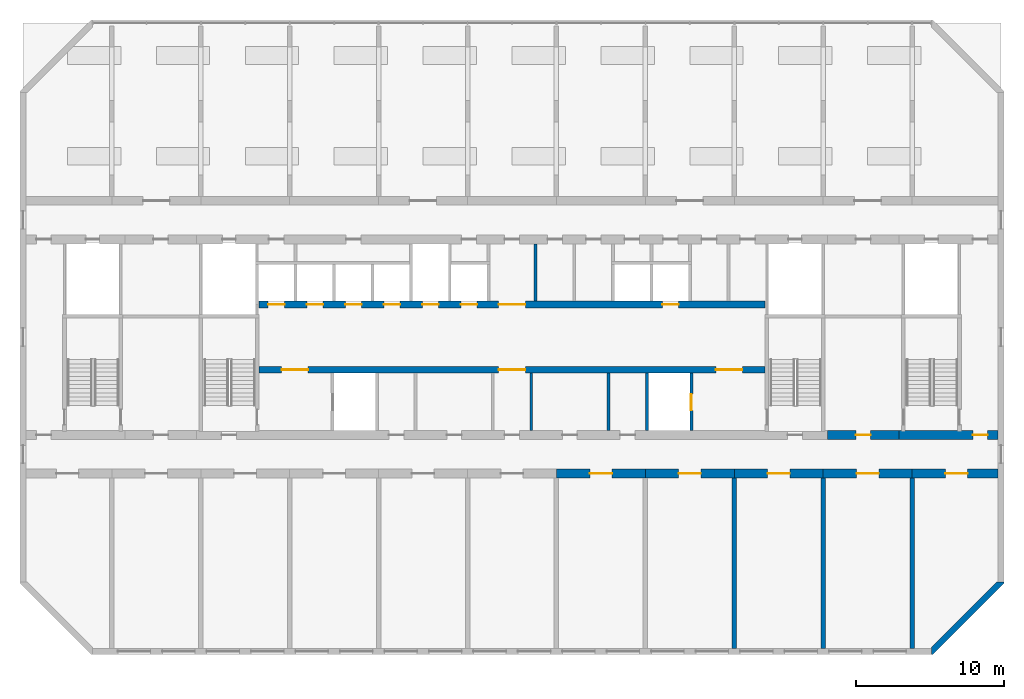
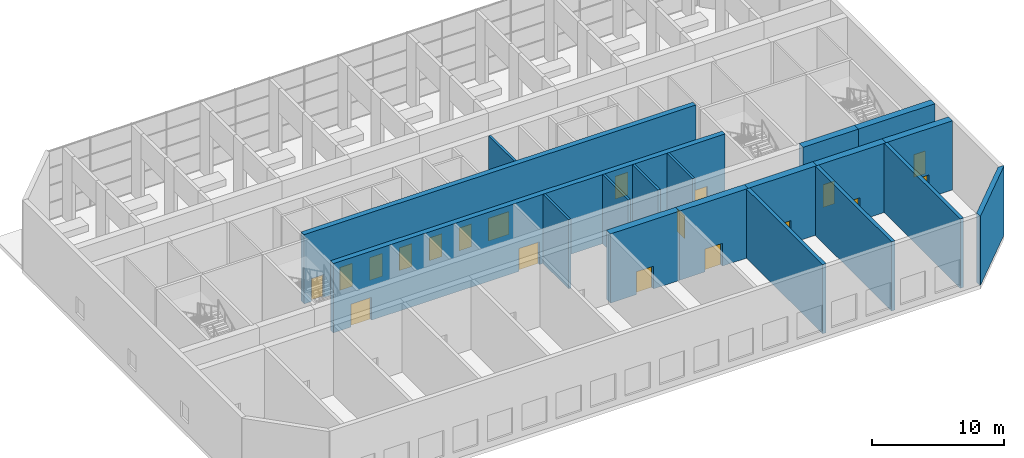
# One storey, part 8 of 13: 19 doors, 18 walls, 19 openings.
"""IFC4 building model written with IfcOpenShell, lengths in metres."""

from ifc_helpers import new_model, si_unit, direction, frame, frame_2d, origin, place, context, subcontext, project, spatial, polyline, rectangle, outline, extrude, material, layer, layer_set, type_object, element, fill, save


model = new_model("IFC4")

# Units and contexts
model_context = context("Model", 3, precision=1e-05, world=origin(), true_north=direction((0.0, 1.0)))
body_context = subcontext(model_context, "Body", "Model", "MODEL_VIEW")
ifc_project = project(units=[si_unit("LENGTHUNIT", "METRE"), si_unit("AREAUNIT", "SQUARE_METRE"), si_unit("VOLUMEUNIT", "CUBIC_METRE"), si_unit("PLANEANGLEUNIT", "RADIAN"), si_unit("MASSUNIT", "GRAM", prefix="KILO")], contexts=[model_context])

# Site, building, storey
site_placement = place(None, origin())
site = spatial("IfcSite", under=ifc_project, at=site_placement, CompositionType="ELEMENT")
building_placement = place(site_placement, origin())
building = spatial("IfcBuilding", under=site, at=building_placement, Name="Poui Terraces", CompositionType="ELEMENT")
storey_placement = place(building_placement, frame((0.0, 0.0, 165.300048828125)))
storey = spatial("IfcBuildingStorey", under=building, at=storey_placement, Name="L46", CompositionType="ELEMENT", Elevation=165.300048828125)

# Wall, opening, door
ifc_material_1 = material(Name="Concrete 65 MPa", Category="concrete")
ifc_layer_1 = layer(ifc_material_1, 0.60009765625)
ifc_layer_set_1 = layer_set([ifc_layer_1], Name="Concrete 65 MPa")
wall_type_1 = type_object("IfcWallType", Name="BELT WALL 600 65MPa", PredefinedType="SHEAR", material=ifc_layer_set_1)
wall_1_placement = place(storey_placement, frame((54.0, 12.0, 0.0), z_axis=(0.0, 0.0, 1.0), x_axis=(1.0, 0.0, 0.0)))
wall_1 = element("IfcWall", 1, at=wall_1_placement, inside=storey, type_object=wall_type_1, Name="BELT WALL LINE B BAY 7", PredefinedType="SHEAR", context=body_context, shape_type="SweptSolid", body=[
    extrude(rectangle(XDim=6.0, YDim=0.60009765625, at=frame_2d((3.0, 0.0))), origin(), (0.0, 0.0, 1.0), 6.3798828125),
])
opening_1_placement = place(wall_1_placement, frame((2.25, 0.0, 0.0)))
opening_1 = element("IfcOpeningElement", 2, at=opening_1_placement, cuts=wall_1, Name="Opening FDP", PredefinedType="OPENING", context=body_context, shape_type="SweptSolid", body=[
    extrude(rectangle(XDim=1.5, YDim=2.10009765625, at=frame_2d((0.75, 1.050048828125))), frame((0.0, 0.31005859375, 0.0), z_axis=(0.0, -1.0, 0.0), x_axis=(1.0, 0.0, 0.0)), (0.0, 0.0, 1.0), 0.6201171875),
])
ifc_material_2 = material(Name="Steel fire door", Category="steel")
door_type_1 = type_object("IfcDoorType", Name="PLANT ROOM DOOR PAIR 1500 X 2100", OperationType="DOUBLE_DOOR_SINGLE_SWING", PredefinedType="DOOR", material=ifc_material_2)
door_1_placement = place(opening_1_placement, origin())
door_1 = element("IfcDoor", 3, at=door_1_placement, inside=storey, type_object=door_type_1, Name="PLANT ROOM DOOR PAIR 036", OperationType="DOUBLE_DOOR_SINGLE_SWING", OverallHeight=2.10009765625, OverallWidth=1.5, PredefinedType="DOOR", context=body_context, shape_type="SweptSolid", body=[
    extrude(rectangle(XDim=1.5, YDim=2.10009765625, at=frame_2d((0.75, 1.050048828125))), frame((0.0, 0.02490234375, 0.0), z_axis=(0.0, -1.0, 0.0), x_axis=(1.0, 0.0, 0.0)), (0.0, 0.0, 1.0), 0.050048828125),
])
fill(opening_1, door_1)

wall_2_placement = place(storey_placement, frame((60.0, 12.0, 0.0), z_axis=(0.0, 0.0, 1.0), x_axis=(1.0, 0.0, 0.0)))
wall_2 = element("IfcWall", 4, at=wall_2_placement, inside=storey, type_object=wall_type_1, Name="BELT WALL LINE B BAY 8", PredefinedType="SHEAR", context=body_context, shape_type="SweptSolid", body=[
    extrude(rectangle(XDim=6.0, YDim=0.60009765625, at=frame_2d((3.0, 0.0))), origin(), (0.0, 0.0, 1.0), 6.3798828125),
])
opening_2_placement = place(wall_2_placement, frame((2.25, 0.0, 0.0)))
opening_2 = element("IfcOpeningElement", 5, at=opening_2_placement, cuts=wall_2, Name="Opening FDP", PredefinedType="OPENING", context=body_context, shape_type="SweptSolid", body=[
    extrude(rectangle(XDim=1.5, YDim=2.10009765625, at=frame_2d((0.75, 1.050048828125))), frame((0.0, 0.31005859375, 0.0), z_axis=(0.0, -1.0, 0.0), x_axis=(1.0, 0.0, 0.0)), (0.0, 0.0, 1.0), 0.6201171875),
])
door_2_placement = place(opening_2_placement, origin())
door_2 = element("IfcDoor", 6, at=door_2_placement, inside=storey, type_object=door_type_1, Name="PLANT ROOM DOOR PAIR 038", OperationType="DOUBLE_DOOR_SINGLE_SWING", OverallHeight=2.10009765625, OverallWidth=1.5, PredefinedType="DOOR", context=body_context, shape_type="SweptSolid", body=[
    extrude(rectangle(XDim=1.5, YDim=2.10009765625, at=frame_2d((0.75, 1.050048828125))), frame((0.0, 0.02490234375, 0.0), z_axis=(0.0, -1.0, 0.0), x_axis=(1.0, 0.0, 0.0)), (0.0, 0.0, 1.0), 0.050048828125),
])
fill(opening_2, door_2)

wall_3_placement = place(storey_placement, frame((66.0, 12.0, 0.0), z_axis=(0.0, 0.0, 1.0), x_axis=(1.0, 0.0, 0.0)))
wall_3 = element("IfcWall", 7, at=wall_3_placement, inside=storey, type_object=wall_type_1, Name="BELT WALL LINE B BAY 9", PredefinedType="SHEAR", context=body_context, shape_type="SweptSolid", body=[
    extrude(rectangle(XDim=6.0, YDim=0.60009765625, at=frame_2d((3.0, 0.0))), origin(), (0.0, 0.0, 1.0), 6.3798828125),
])
opening_3_placement = place(wall_3_placement, frame((2.25, 0.0, 0.0)))
opening_3 = element("IfcOpeningElement", 8, at=opening_3_placement, cuts=wall_3, Name="Opening FDP", PredefinedType="OPENING", context=body_context, shape_type="SweptSolid", body=[
    extrude(rectangle(XDim=1.5, YDim=2.10009765625, at=frame_2d((0.75, 1.050048828125))), frame((0.0, 0.31005859375, 0.0), z_axis=(0.0, -1.0, 0.0), x_axis=(1.0, 0.0, 0.0)), (0.0, 0.0, 1.0), 0.6201171875),
])
door_3_placement = place(opening_3_placement, origin())
door_3 = element("IfcDoor", 9, at=door_3_placement, inside=storey, type_object=door_type_1, Name="PLANT ROOM DOOR PAIR 039", OperationType="DOUBLE_DOOR_SINGLE_SWING", OverallHeight=2.10009765625, OverallWidth=1.5, PredefinedType="DOOR", context=body_context, shape_type="SweptSolid", body=[
    extrude(rectangle(XDim=1.5, YDim=2.10009765625, at=frame_2d((0.75, 1.050048828125))), frame((0.0, 0.02490234375, 0.0), z_axis=(0.0, -1.0, 0.0), x_axis=(1.0, 0.0, 0.0)), (0.0, 0.0, 1.0), 0.050048828125),
])
fill(opening_3, door_3)

wall_4_placement = place(storey_placement, frame((72.0, 12.0, 0.0), z_axis=(0.0, 0.0, 1.0), x_axis=(1.0, 0.0, 0.0)))
wall_4 = element("IfcWall", 10, at=wall_4_placement, inside=storey, type_object=wall_type_1, Name="BELT WALL LINE B BAY 10", PredefinedType="SHEAR", context=body_context, shape_type="SweptSolid", body=[
    extrude(rectangle(XDim=6.0, YDim=0.60009765625, at=frame_2d((3.0, 0.0))), origin(), (0.0, 0.0, 1.0), 6.3798828125),
])
opening_4_placement = place(wall_4_placement, frame((2.25, 0.0, 0.0)))
opening_4 = element("IfcOpeningElement", 11, at=opening_4_placement, cuts=wall_4, Name="Opening FDP", PredefinedType="OPENING", context=body_context, shape_type="SweptSolid", body=[
    extrude(rectangle(XDim=1.5, YDim=2.10009765625, at=frame_2d((0.75, 1.050048828125))), frame((0.0, 0.31005859375, 0.0), z_axis=(0.0, -1.0, 0.0), x_axis=(1.0, 0.0, 0.0)), (0.0, 0.0, 1.0), 0.6201171875),
])
door_4_placement = place(opening_4_placement, origin())
door_4 = element("IfcDoor", 12, at=door_4_placement, inside=storey, type_object=door_type_1, Name="PLANT ROOM DOOR PAIR 042", OperationType="DOUBLE_DOOR_SINGLE_SWING", OverallHeight=2.10009765625, OverallWidth=1.5, PredefinedType="DOOR", context=body_context, shape_type="SweptSolid", body=[
    extrude(rectangle(XDim=1.5, YDim=2.10009765625, at=frame_2d((0.75, 1.050048828125))), frame((0.0, 0.02490234375, 0.0), z_axis=(0.0, -1.0, 0.0), x_axis=(1.0, 0.0, 0.0)), (0.0, 0.0, 1.0), 0.050048828125),
])
fill(opening_4, door_4)

wall_5_placement = place(storey_placement, frame((78.0, 12.0, 0.0), z_axis=(0.0, 0.0, 1.0), x_axis=(1.0, 0.0, 0.0)))
wall_5 = element("IfcWall", 13, at=wall_5_placement, inside=storey, type_object=wall_type_1, Name="BELT WALL LINE B BAY 11", PredefinedType="SHEAR", context=body_context, shape_type="SweptSolid", body=[
    extrude(rectangle(XDim=5.800048828125, YDim=0.60009765625, at=frame_2d((2.89990234375, 0.0))), origin(), (0.0, 0.0, 1.0), 6.3798828125),
])
opening_5_placement = place(wall_5_placement, frame((2.25, 0.0, 0.0)))
opening_5 = element("IfcOpeningElement", 14, at=opening_5_placement, cuts=wall_5, Name="Opening FDP", PredefinedType="OPENING", context=body_context, shape_type="SweptSolid", body=[
    extrude(rectangle(XDim=1.5, YDim=2.10009765625, at=frame_2d((0.75, 1.050048828125))), frame((0.0, 0.31005859375, 0.0), z_axis=(0.0, -1.0, 0.0), x_axis=(1.0, 0.0, 0.0)), (0.0, 0.0, 1.0), 0.6201171875),
])
door_5_placement = place(opening_5_placement, origin())
door_5 = element("IfcDoor", 15, at=door_5_placement, inside=storey, type_object=door_type_1, Name="PLANT ROOM DOOR PAIR 043", OperationType="DOUBLE_DOOR_SINGLE_SWING", OverallHeight=2.10009765625, OverallWidth=1.5, PredefinedType="DOOR", context=body_context, shape_type="SweptSolid", body=[
    extrude(rectangle(XDim=1.5, YDim=2.10009765625, at=frame_2d((0.75, 1.050048828125))), frame((0.0, 0.02490234375, 0.0), z_axis=(0.0, -1.0, 0.0), x_axis=(1.0, 0.0, 0.0)), (0.0, 0.0, 1.0), 0.050048828125),
])
fill(opening_5, door_5)

# Wall, openings, doors
ifc_layer_2 = layer(ifc_material_1, 0.449951171875)
ifc_layer_set_2 = layer_set([ifc_layer_2], Name="Concrete 65 MPa")
wall_type_2 = type_object("IfcWallType", Name="CORE WALL 450 65 MPA", PredefinedType="SOLIDWALL", material=ifc_layer_set_2)
wall_6_placement = place(storey_placement, frame((33.925048828125, 19.0, 0.0), z_axis=(0.0, 0.0, 1.0), x_axis=(1.0, 0.0, 0.0)))
wall_6 = element("IfcWall", 16, at=wall_6_placement, inside=storey, type_object=wall_type_2, Name="CORE WALL", PredefinedType="SOLIDWALL", context=body_context, shape_type="SweptSolid", body=[
    extrude(rectangle(XDim=34.14990234375, YDim=0.449951171875, at=frame_2d((17.074951171875, 0.0))), origin(), (0.0, 0.0, 1.0), 6.3798828125),
])
opening_6_placement = place(wall_6_placement, frame((16.175048828125, 0.0, 0.0)))
opening_6 = element("IfcOpeningElement", 17, at=opening_6_placement, cuts=wall_6, Name="Opening FDD60", PredefinedType="OPENING", context=body_context, shape_type="SweptSolid", body=[
    extrude(rectangle(XDim=1.800048828125, YDim=2.10009765625, at=frame_2d((0.89990234375, 1.050048828125))), frame((0.0, 0.23486328125, 0.0), z_axis=(0.0, -1.0, 0.0), x_axis=(1.0, 0.0, 0.0)), (0.0, 0.0, 1.0), 0.469970703125),
])
opening_7_placement = place(wall_6_placement, frame((1.52490234375, 0.0, 0.0)))
opening_7 = element("IfcOpeningElement", 18, at=opening_7_placement, cuts=wall_6, Name="Opening FDD60", PredefinedType="OPENING", context=body_context, shape_type="SweptSolid", body=[
    extrude(rectangle(XDim=1.800048828125, YDim=2.10009765625, at=frame_2d((0.89990234375, 1.050048828125))), frame((0.0, 0.23486328125, 0.0), z_axis=(0.0, -1.0, 0.0), x_axis=(1.0, 0.0, 0.0)), (0.0, 0.0, 1.0), 0.469970703125),
])
opening_8_placement = place(wall_6_placement, frame((30.824951171875, 0.0, 0.0)))
opening_8 = element("IfcOpeningElement", 19, at=opening_8_placement, cuts=wall_6, Name="Opening FDD60", PredefinedType="OPENING", context=body_context, shape_type="SweptSolid", body=[
    extrude(rectangle(XDim=1.800048828125, YDim=2.10009765625, at=frame_2d((0.89990234375, 1.050048828125))), frame((0.0, 0.23486328125, 0.0), z_axis=(0.0, -1.0, 0.0), x_axis=(1.0, 0.0, 0.0)), (0.0, 0.0, 1.0), 0.469970703125),
])
door_type_2 = type_object("IfcDoorType", Name="DOUBLE LOBBY FIRE DOOR 1800 X 2100", OperationType="DOUBLE_DOOR_SINGLE_SWING", PredefinedType="DOOR", material=ifc_material_2)
door_6_placement = place(opening_6_placement, frame((1.800048828125, 0.0, 0.0), z_axis=(0.0, 0.0, 1.0), x_axis=(-1.0, 0.0, 0.0)))
door_6 = element("IfcDoor", 20, at=door_6_placement, inside=storey, type_object=door_type_2, Name="DOUBLE LOBBY FIRE DOOR 050", OperationType="DOUBLE_DOOR_SINGLE_SWING", OverallHeight=2.10009765625, OverallWidth=1.800048828125, PredefinedType="DOOR", context=body_context, shape_type="SweptSolid", body=[
    extrude(rectangle(XDim=1.800048828125, YDim=2.10009765625, at=frame_2d((0.89990234375, 1.050048828125))), frame((0.0, 0.02490234375, 0.0), z_axis=(0.0, -1.0, 0.0), x_axis=(1.0, 0.0, 0.0)), (0.0, 0.0, 1.0), 0.050048828125),
])
fill(opening_6, door_6)
door_7_placement = place(opening_7_placement, origin())
door_7 = element("IfcDoor", 21, at=door_7_placement, inside=storey, type_object=door_type_2, Name="DOUBLE LOBBY FIRE DOOR 052", OperationType="DOUBLE_DOOR_SINGLE_SWING", OverallHeight=2.10009765625, OverallWidth=1.800048828125, PredefinedType="DOOR", context=body_context, shape_type="SweptSolid", body=[
    extrude(rectangle(XDim=1.800048828125, YDim=2.10009765625, at=frame_2d((0.89990234375, 1.050048828125))), frame((0.0, 0.02490234375, 0.0), z_axis=(0.0, -1.0, 0.0), x_axis=(1.0, 0.0, 0.0)), (0.0, 0.0, 1.0), 0.050048828125),
])
fill(opening_7, door_7)
door_8_placement = place(opening_8_placement, origin())
door_8 = element("IfcDoor", 22, at=door_8_placement, inside=storey, type_object=door_type_2, Name="DOUBLE LOBBY FIRE DOOR 059", OperationType="DOUBLE_DOOR_SINGLE_SWING", OverallHeight=2.10009765625, OverallWidth=1.800048828125, PredefinedType="DOOR", context=body_context, shape_type="SweptSolid", body=[
    extrude(rectangle(XDim=1.800048828125, YDim=2.10009765625, at=frame_2d((0.89990234375, 1.050048828125))), frame((0.0, 0.02490234375, 0.0), z_axis=(0.0, -1.0, 0.0), x_axis=(1.0, 0.0, 0.0)), (0.0, 0.0, 1.0), 0.050048828125),
])
fill(opening_8, door_8)

wall_7_placement = place(storey_placement, frame((33.925048828125, 23.39990234375, 0.0), z_axis=(0.0, 0.0, 1.0), x_axis=(1.0, 0.0, 0.0)))
wall_7 = element("IfcWall", 23, at=wall_7_placement, inside=storey, type_object=wall_type_2, Name="CORE WALL", PredefinedType="SOLIDWALL", context=body_context, shape_type="SweptSolid", body=[
    extrude(rectangle(XDim=34.14990234375, YDim=0.449951171875, at=frame_2d((17.074951171875, 0.0))), origin(), (0.0, 0.0, 1.0), 6.3798828125),
])
opening_9_placement = place(wall_7_placement, frame((16.175048828125, 0.0, 0.0)))
opening_9 = element("IfcOpeningElement", 24, at=opening_9_placement, cuts=wall_7, Name="Opening FDD60", PredefinedType="OPENING", context=body_context, shape_type="SweptSolid", body=[
    extrude(rectangle(XDim=1.800048828125, YDim=2.10009765625, at=frame_2d((0.89990234375, 1.050048828125))), frame((0.0, 0.23486328125, 0.0), z_axis=(0.0, -1.0, 0.0), x_axis=(1.0, 0.0, 0.0)), (0.0, 0.0, 1.0), 0.469970703125),
])
opening_10_placement = place(wall_7_placement, frame((0.625, 0.0, 0.0)))
opening_10 = element("IfcOpeningElement", 25, at=opening_10_placement, cuts=wall_7, Name="Opening LD", PredefinedType="OPENING", context=body_context, shape_type="SweptSolid", body=[
    extrude(rectangle(XDim=1.10009765625, YDim=2.10009765625, at=frame_2d((0.550048828125, 1.050048828125))), frame((0.0, 0.23486328125, 0.0), z_axis=(0.0, -1.0, 0.0), x_axis=(1.0, 0.0, 0.0)), (0.0, 0.0, 1.0), 0.469970703125),
])
opening_11_placement = place(wall_7_placement, frame((3.22509765625, 0.0, 0.0)))
opening_11 = element("IfcOpeningElement", 26, at=opening_11_placement, cuts=wall_7, Name="Opening LD", PredefinedType="OPENING", context=body_context, shape_type="SweptSolid", body=[
    extrude(rectangle(XDim=1.10009765625, YDim=2.10009765625, at=frame_2d((0.550048828125, 1.050048828125))), frame((0.0, 0.23486328125, 0.0), z_axis=(0.0, -1.0, 0.0), x_axis=(1.0, 0.0, 0.0)), (0.0, 0.0, 1.0), 0.469970703125),
])
opening_12_placement = place(wall_7_placement, frame((5.824951171875, 0.0, 0.0)))
opening_12 = element("IfcOpeningElement", 27, at=opening_12_placement, cuts=wall_7, Name="Opening LD", PredefinedType="OPENING", context=body_context, shape_type="SweptSolid", body=[
    extrude(rectangle(XDim=1.10009765625, YDim=2.10009765625, at=frame_2d((0.550048828125, 1.050048828125))), frame((0.0, 0.23486328125, 0.0), z_axis=(0.0, -1.0, 0.0), x_axis=(1.0, 0.0, 0.0)), (0.0, 0.0, 1.0), 0.469970703125),
])
opening_13_placement = place(wall_7_placement, frame((8.425048828125, 0.0, 0.0)))
opening_13 = element("IfcOpeningElement", 28, at=opening_13_placement, cuts=wall_7, Name="Opening LD", PredefinedType="OPENING", context=body_context, shape_type="SweptSolid", body=[
    extrude(rectangle(XDim=1.10009765625, YDim=2.10009765625, at=frame_2d((0.550048828125, 1.050048828125))), frame((0.0, 0.23486328125, 0.0), z_axis=(0.0, -1.0, 0.0), x_axis=(1.0, 0.0, 0.0)), (0.0, 0.0, 1.0), 0.469970703125),
])
opening_14_placement = place(wall_7_placement, frame((11.02490234375, 0.0, 0.0)))
opening_14 = element("IfcOpeningElement", 29, at=opening_14_placement, cuts=wall_7, Name="Opening LD", PredefinedType="OPENING", context=body_context, shape_type="SweptSolid", body=[
    extrude(rectangle(XDim=1.10009765625, YDim=2.10009765625, at=frame_2d((0.550048828125, 1.050048828125))), frame((0.0, 0.23486328125, 0.0), z_axis=(0.0, -1.0, 0.0), x_axis=(1.0, 0.0, 0.0)), (0.0, 0.0, 1.0), 0.469970703125),
])
opening_15_placement = place(wall_7_placement, frame((13.625, 0.0, 0.0)))
opening_15 = element("IfcOpeningElement", 30, at=opening_15_placement, cuts=wall_7, Name="Opening LD", PredefinedType="OPENING", context=body_context, shape_type="SweptSolid", body=[
    extrude(rectangle(XDim=1.10009765625, YDim=2.10009765625, at=frame_2d((0.550048828125, 1.050048828125))), frame((0.0, 0.23486328125, 0.0), z_axis=(0.0, -1.0, 0.0), x_axis=(1.0, 0.0, 0.0)), (0.0, 0.0, 1.0), 0.469970703125),
])
opening_16_placement = place(wall_7_placement, frame((27.22509765625, 0.0, 0.0)))
opening_16 = element("IfcOpeningElement", 31, at=opening_16_placement, cuts=wall_7, Name="Opening LD", PredefinedType="OPENING", context=body_context, shape_type="SweptSolid", body=[
    extrude(rectangle(XDim=1.10009765625, YDim=2.10009765625, at=frame_2d((0.550048828125, 1.050048828125))), frame((0.0, 0.23486328125, 0.0), z_axis=(0.0, -1.0, 0.0), x_axis=(1.0, 0.0, 0.0)), (0.0, 0.0, 1.0), 0.469970703125),
])
door_9_placement = place(opening_9_placement, origin())
door_9 = element("IfcDoor", 32, at=door_9_placement, inside=storey, type_object=door_type_2, Name="DOUBLE LOBBY FIRE DOOR 049", OperationType="DOUBLE_DOOR_SINGLE_SWING", OverallHeight=2.10009765625, OverallWidth=1.800048828125, PredefinedType="DOOR", context=body_context, shape_type="SweptSolid", body=[
    extrude(rectangle(XDim=1.800048828125, YDim=2.10009765625, at=frame_2d((0.89990234375, 1.050048828125))), frame((0.0, 0.02490234375, 0.0), z_axis=(0.0, -1.0, 0.0), x_axis=(1.0, 0.0, 0.0)), (0.0, 0.0, 1.0), 0.050048828125),
])
fill(opening_9, door_9)
ifc_material_3 = material(Name="Stainless steel sliding door", Category="steel")
door_type_3 = type_object("IfcDoorType", Name="LIFT LANDING DOOR 1100 X 2100", OperationType="DOUBLE_DOOR_SLIDING", PredefinedType="DOOR", material=ifc_material_3)
door_10_placement = place(opening_10_placement, origin())
door_10 = element("IfcDoor", 33, at=door_10_placement, inside=storey, type_object=door_type_3, Name="LANDING DOOR", OperationType="DOUBLE_DOOR_SLIDING", OverallHeight=2.10009765625, OverallWidth=1.10009765625, PredefinedType="DOOR", context=body_context, shape_type="SweptSolid", body=[
    extrude(rectangle(XDim=1.10009765625, YDim=2.10009765625, at=frame_2d((0.550048828125, 1.050048828125))), frame((0.0, 0.02490234375, 0.0), z_axis=(0.0, -1.0, 0.0), x_axis=(1.0, 0.0, 0.0)), (0.0, 0.0, 1.0), 0.050048828125),
])
fill(opening_10, door_10)
door_11_placement = place(opening_11_placement, origin())
door_11 = element("IfcDoor", 34, at=door_11_placement, inside=storey, type_object=door_type_3, Name="LANDING DOOR", OperationType="DOUBLE_DOOR_SLIDING", OverallHeight=2.10009765625, OverallWidth=1.10009765625, PredefinedType="DOOR", context=body_context, shape_type="SweptSolid", body=[
    extrude(rectangle(XDim=1.10009765625, YDim=2.10009765625, at=frame_2d((0.550048828125, 1.050048828125))), frame((0.0, 0.02490234375, 0.0), z_axis=(0.0, -1.0, 0.0), x_axis=(1.0, 0.0, 0.0)), (0.0, 0.0, 1.0), 0.050048828125),
])
fill(opening_11, door_11)
door_12_placement = place(opening_12_placement, origin())
door_12 = element("IfcDoor", 35, at=door_12_placement, inside=storey, type_object=door_type_3, Name="LANDING DOOR", OperationType="DOUBLE_DOOR_SLIDING", OverallHeight=2.10009765625, OverallWidth=1.10009765625, PredefinedType="DOOR", context=body_context, shape_type="SweptSolid", body=[
    extrude(rectangle(XDim=1.10009765625, YDim=2.10009765625, at=frame_2d((0.550048828125, 1.050048828125))), frame((0.0, 0.02490234375, 0.0), z_axis=(0.0, -1.0, 0.0), x_axis=(1.0, 0.0, 0.0)), (0.0, 0.0, 1.0), 0.050048828125),
])
fill(opening_12, door_12)
door_13_placement = place(opening_13_placement, origin())
door_13 = element("IfcDoor", 36, at=door_13_placement, inside=storey, type_object=door_type_3, Name="LANDING DOOR", OperationType="DOUBLE_DOOR_SLIDING", OverallHeight=2.10009765625, OverallWidth=1.10009765625, PredefinedType="DOOR", context=body_context, shape_type="SweptSolid", body=[
    extrude(rectangle(XDim=1.10009765625, YDim=2.10009765625, at=frame_2d((0.550048828125, 1.050048828125))), frame((0.0, 0.02490234375, 0.0), z_axis=(0.0, -1.0, 0.0), x_axis=(1.0, 0.0, 0.0)), (0.0, 0.0, 1.0), 0.050048828125),
])
fill(opening_13, door_13)
door_14_placement = place(opening_14_placement, origin())
door_14 = element("IfcDoor", 37, at=door_14_placement, inside=storey, type_object=door_type_3, Name="LANDING DOOR", OperationType="DOUBLE_DOOR_SLIDING", OverallHeight=2.10009765625, OverallWidth=1.10009765625, PredefinedType="DOOR", context=body_context, shape_type="SweptSolid", body=[
    extrude(rectangle(XDim=1.10009765625, YDim=2.10009765625, at=frame_2d((0.550048828125, 1.050048828125))), frame((0.0, 0.02490234375, 0.0), z_axis=(0.0, -1.0, 0.0), x_axis=(1.0, 0.0, 0.0)), (0.0, 0.0, 1.0), 0.050048828125),
])
fill(opening_14, door_14)
door_15_placement = place(opening_15_placement, origin())
door_15 = element("IfcDoor", 38, at=door_15_placement, inside=storey, type_object=door_type_3, Name="LANDING DOOR", OperationType="DOUBLE_DOOR_SLIDING", OverallHeight=2.10009765625, OverallWidth=1.10009765625, PredefinedType="DOOR", context=body_context, shape_type="SweptSolid", body=[
    extrude(rectangle(XDim=1.10009765625, YDim=2.10009765625, at=frame_2d((0.550048828125, 1.050048828125))), frame((0.0, 0.02490234375, 0.0), z_axis=(0.0, -1.0, 0.0), x_axis=(1.0, 0.0, 0.0)), (0.0, 0.0, 1.0), 0.050048828125),
])
fill(opening_15, door_15)
door_16_placement = place(opening_16_placement, origin())
door_16 = element("IfcDoor", 39, at=door_16_placement, inside=storey, type_object=door_type_3, Name="LANDING DOOR", OperationType="DOUBLE_DOOR_SLIDING", OverallHeight=2.10009765625, OverallWidth=1.10009765625, PredefinedType="DOOR", context=body_context, shape_type="SweptSolid", body=[
    extrude(rectangle(XDim=1.10009765625, YDim=2.10009765625, at=frame_2d((0.550048828125, 1.050048828125))), frame((0.0, 0.02490234375, 0.0), z_axis=(0.0, -1.0, 0.0), x_axis=(1.0, 0.0, 0.0)), (0.0, 0.0, 1.0), 0.050048828125),
])
fill(opening_16, door_16)

# Walls
ifc_layer_3 = layer(ifc_material_1, 0.300048828125)
ifc_layer_set_3 = layer_set([ifc_layer_3], Name="Concrete 65 MPa")
wall_type_3 = type_object("IfcWallType", Name="CROSS WALL 300 65MPa", PredefinedType="SHEAR", material=ifc_layer_set_3)
for number, where, z_axis, x_axis, name in (
    (40, (66.0, 0.199951171875, 0.0), (0.0, 0.0, 1.0), (0.0, 1.0, 0.0), "CROSS WALL LINE 12 SOUTH"),
    (41, (72.0, 0.199951171875, 0.0), (0.0, 0.0, 1.0), (0.0, 1.0, 0.0), "CROSS WALL LINE 13 SOUTH"),
    (42, (78.0, 0.199951171875, 0.0), (0.0, 0.0, 1.0), (0.0, 1.0, 0.0), "CROSS WALL LINE 14 SOUTH"),
):
    element("IfcWall", number, at=place(storey_placement, frame(where, z_axis=z_axis, x_axis=x_axis)), inside=storey, type_object=wall_type_3, Name=name, PredefinedType="SHEAR", context=body_context, shape_type="SweptSolid", body=[
        extrude(rectangle(XDim=11.5, YDim=0.300048828125, at=frame_2d((5.75, 0.0))), origin(), (0.0, 0.0, 1.0), 6.3798828125),
    ])

# Wall, opening, door
ifc_layer_4 = layer(ifc_material_1, 0.60009765625)
ifc_layer_set_4 = layer_set([ifc_layer_4], Name="Concrete 65 MPa")
wall_type_4 = type_object("IfcWallType", Name="OUTRIGGER WALL 600 65MPa", PredefinedType="SHEAR", material=ifc_layer_set_4)
wall_8_placement = place(storey_placement, frame((72.300048828125, 14.60009765625, 0.0), z_axis=(0.0, 0.0, 1.0), x_axis=(1.0, 0.0, 0.0)))
wall_8 = element("IfcWall", 43, at=wall_8_placement, inside=storey, type_object=wall_type_4, Name="OUTRIGGER WALL LINE C E2", PredefinedType="SHEAR", context=body_context, shape_type="SweptSolid", body=[
    extrude(rectangle(XDim=4.800048828125, YDim=0.60009765625, at=frame_2d((2.39990234375, 0.0))), origin(), (0.0, 0.0, 1.0), 6.3798828125),
])
opening_17_placement = place(wall_8_placement, frame((1.89990234375, 0.0, 0.0)))
opening_17 = element("IfcOpeningElement", 44, at=opening_17_placement, cuts=wall_8, Name="Opening FDRF", PredefinedType="OPENING", context=body_context, shape_type="SweptSolid", body=[
    extrude(rectangle(XDim=1.0, YDim=2.10009765625, at=frame_2d((0.5, 1.050048828125))), frame((0.0, 0.31005859375, 0.0), z_axis=(0.0, -1.0, 0.0), x_axis=(1.0, 0.0, 0.0)), (0.0, 0.0, 1.0), 0.6201171875),
])
door_type_4 = type_object("IfcDoorType", Name="REFUGE AREA DOOR 1000 X 2100", OperationType="NOTDEFINED", PredefinedType="DOOR", material=ifc_material_2)
door_17_placement = place(opening_17_placement, frame((1.0, 0.0, 0.0), z_axis=(0.0, 0.0, 1.0), x_axis=(-1.0, 0.0, 0.0)))
door_17 = element("IfcDoor", 45, at=door_17_placement, inside=storey, type_object=door_type_4, Name="REFUGE AREA DOOR 041", OperationType="SINGLE_SWING_RIGHT", OverallHeight=2.10009765625, OverallWidth=1.0, PredefinedType="DOOR", context=body_context, shape_type="SweptSolid", body=[
    extrude(rectangle(XDim=1.0, YDim=2.10009765625, at=frame_2d((0.5, 1.050048828125))), frame((0.0, 0.02490234375, 0.0), z_axis=(0.0, -1.0, 0.0), x_axis=(1.0, 0.0, 0.0)), (0.0, 0.0, 1.0), 0.050048828125),
])
fill(opening_17, door_17)

# Walls
ifc_material_4 = material(Name="Fire-rated masonry wall", Category="masonry")
ifc_layer_5 = layer(ifc_material_4, 0.199951171875)
ifc_layer_set_5 = layer_set([ifc_layer_5], Name="Fire-rated masonry wall")
wall_type_5 = type_object("IfcWallType", Name="PLANT ROOM WALL 200", PredefinedType="PARTITIONING", material=ifc_layer_set_5)
for number, where, z_axis, x_axis, name in (
    (46, (52.300048828125, 14.909912109375, 0.0), (0.0, 0.0, 1.0), (0.0, 1.0, 0.0), "PLANT ROOM WALL 200"),
    (47, (52.60009765625, 23.635009765625, 0.0), (0.0, 0.0, 1.0), (0.0, 1.0, 0.0), "PLANT ROOM WALL 200"),
    (48, (57.5, 14.909912109375, 0.0), (0.0, 0.0, 1.0), (0.0, 1.0, 0.0), "PLANT ROOM WALL 200"),
):
    element("IfcWall", number, at=place(storey_placement, frame(where, z_axis=z_axis, x_axis=x_axis)), inside=storey, type_object=wall_type_5, Name=name, PredefinedType="PARTITIONING", context=body_context, shape_type="SweptSolid", body=[
        extrude(rectangle(XDim=3.85498046875, YDim=0.199951171875, at=frame_2d((1.927490234375, 0.0))), origin(), (0.0, 0.0, 1.0), 6.3798828125),
    ])
ifc_material_5 = material(Name="Fire-rated masonry shaft wall", Category="masonry")
ifc_layer_6 = layer(ifc_material_5, 0.199951171875)
ifc_layer_set_6 = layer_set([ifc_layer_6], Name="Fire-rated masonry shaft wall")
wall_type_6 = type_object("IfcWallType", Name="SHAFT WALL 200", PredefinedType="PARTITIONING", material=ifc_layer_set_6)
wall_9_placement = place(storey_placement, frame((60.10009765625, 14.909912109375, 0.0), z_axis=(0.0, 0.0, 1.0), x_axis=(0.0, 1.0, 0.0)))
element("IfcWall", 49, at=wall_9_placement, inside=storey, type_object=wall_type_6, Name="SHAFT WALL 200", PredefinedType="PARTITIONING", context=body_context, shape_type="SweptSolid", body=[
    extrude(rectangle(XDim=3.85498046875, YDim=0.199951171875, at=frame_2d((1.927490234375, 0.0))), origin(), (0.0, 0.0, 1.0), 6.3798828125),
])

# Wall, opening, door
wall_10_placement = place(storey_placement, frame((63.10009765625, 14.909912109375, 0.0), z_axis=(0.0, 0.0, 1.0), x_axis=(0.0, 1.0, 0.0)))
wall_10 = element("IfcWall", 50, at=wall_10_placement, inside=storey, type_object=wall_type_6, Name="SHAFT WALL 200", PredefinedType="PARTITIONING", context=body_context, shape_type="SweptSolid", body=[
    extrude(rectangle(XDim=3.85498046875, YDim=0.199951171875, at=frame_2d((1.927490234375, 0.0))), origin(), (0.0, 0.0, 1.0), 6.3798828125),
])
opening_18_placement = place(wall_10_placement, frame((1.340087890625, 0.0, 0.0)))
opening_18 = element("IfcOpeningElement", 51, at=opening_18_placement, cuts=wall_10, Name="Opening LD", PredefinedType="OPENING", context=body_context, shape_type="SweptSolid", body=[
    extrude(rectangle(XDim=1.10009765625, YDim=2.10009765625, at=frame_2d((0.550048828125, 1.050048828125))), frame((0.0, 0.10986328125, 0.0), z_axis=(0.0, -1.0, 0.0), x_axis=(1.0, 0.0, 0.0)), (0.0, 0.0, 1.0), 0.219970703125),
])
door_18_placement = place(opening_18_placement, origin())
door_18 = element("IfcDoor", 52, at=door_18_placement, inside=storey, type_object=door_type_3, Name="LANDING DOOR", OperationType="DOUBLE_DOOR_SLIDING", OverallHeight=2.10009765625, OverallWidth=1.10009765625, PredefinedType="DOOR", context=body_context, shape_type="SweptSolid", body=[
    extrude(rectangle(XDim=1.10009765625, YDim=2.10009765625, at=frame_2d((0.550048828125, 1.050048828125))), frame((0.0, 0.02490234375, 0.0), z_axis=(0.0, -1.0, 0.0), x_axis=(1.0, 0.0, 0.0)), (0.0, 0.0, 1.0), 0.050048828125),
])
fill(opening_18, door_18)

ifc_layer_7 = layer(ifc_material_1, 0.60009765625)
ifc_layer_set_7 = layer_set([ifc_layer_7], Name="Concrete 65 MPa")
wall_type_7 = type_object("IfcWallType", Name="SPINE WALL 600 65 MPA", PredefinedType="SOLIDWALL", material=ifc_layer_set_7)
wall_11_placement = place(storey_placement, frame((77.10009765625, 14.60009765625, 0.0), z_axis=(0.0, 0.0, 1.0), x_axis=(1.0, 0.0, 0.0)))
wall_11 = element("IfcWall", 53, at=wall_11_placement, inside=storey, type_object=wall_type_7, Name="SPINE WALL", PredefinedType="SOLIDWALL", context=body_context, shape_type="SweptSolid", body=[
    extrude(rectangle(XDim=6.699951171875, YDim=0.60009765625, at=frame_2d((3.35009765625, 0.0))), origin(), (0.0, 0.0, 1.0), 6.3798828125),
])
opening_19_placement = place(wall_11_placement, frame((5.0, 0.0, 0.0)))
opening_19 = element("IfcOpeningElement", 54, at=opening_19_placement, cuts=wall_11, Name="Opening FDL", PredefinedType="OPENING", context=body_context, shape_type="SweptSolid", body=[
    extrude(rectangle(XDim=1.0, YDim=2.10009765625, at=frame_2d((0.5, 1.050048828125))), frame((0.0, 0.31005859375, 0.0), z_axis=(0.0, -1.0, 0.0), x_axis=(1.0, 0.0, 0.0)), (0.0, 0.0, 1.0), 0.6201171875),
])
door_type_5 = type_object("IfcDoorType", Name="LOBBY FIRE DOOR 1000 X 2100", OperationType="NOTDEFINED", PredefinedType="DOOR", material=ifc_material_2)
door_19_placement = place(opening_19_placement, frame((1.0, 0.0, 0.0), z_axis=(0.0, 0.0, 1.0), x_axis=(-1.0, 0.0, 0.0)))
door_19 = element("IfcDoor", 55, at=door_19_placement, inside=storey, type_object=door_type_5, Name="LOBBY FIRE DOOR 044", OperationType="SINGLE_SWING_LEFT", OverallHeight=2.10009765625, OverallWidth=1.0, PredefinedType="DOOR", context=body_context, shape_type="SweptSolid", body=[
    extrude(rectangle(XDim=1.0, YDim=2.10009765625, at=frame_2d((0.5, 1.050048828125))), frame((0.0, 0.02490234375, 0.0), z_axis=(0.0, -1.0, 0.0), x_axis=(1.0, 0.0, 0.0)), (0.0, 0.0, 1.0), 0.050048828125),
])
fill(opening_19, door_19)

# Wall
ifc_material_6 = material(Name="Precast concrete 40 MPa", Category="concrete")
ifc_layer_8 = layer(ifc_material_6, 0.39990234375)
ifc_layer_set_8 = layer_set([ifc_layer_8], Name="Precast concrete 40 MPa")
wall_type_8 = type_object("IfcWallType", Name="TERRACOTTA CLAD CHAMFER WALL 400", PredefinedType="STANDARD", material=ifc_layer_set_8)
wall_12_placement = place(storey_placement, origin())
element("IfcWall", 56, at=wall_12_placement, inside=storey, type_object=wall_type_8, Name="CHAMFER WALL CH01", PredefinedType="STANDARD", context=body_context, shape_type="SweptSolid", body=[
    extrude(outline(polyline([(79.317138671875, -0.199951171875), (79.39990234375, -0.199951171875), (84.199951171875, 4.60009765625), (84.199951171875, 4.682861328125), (83.71728515625, 4.682861328125), (79.317138671875, 0.28271484375), (79.317138671875, -0.199951171875)])), origin(), (0.0, 0.0, 1.0), 6.3798828125),
])

save(model, "model.ifc")
